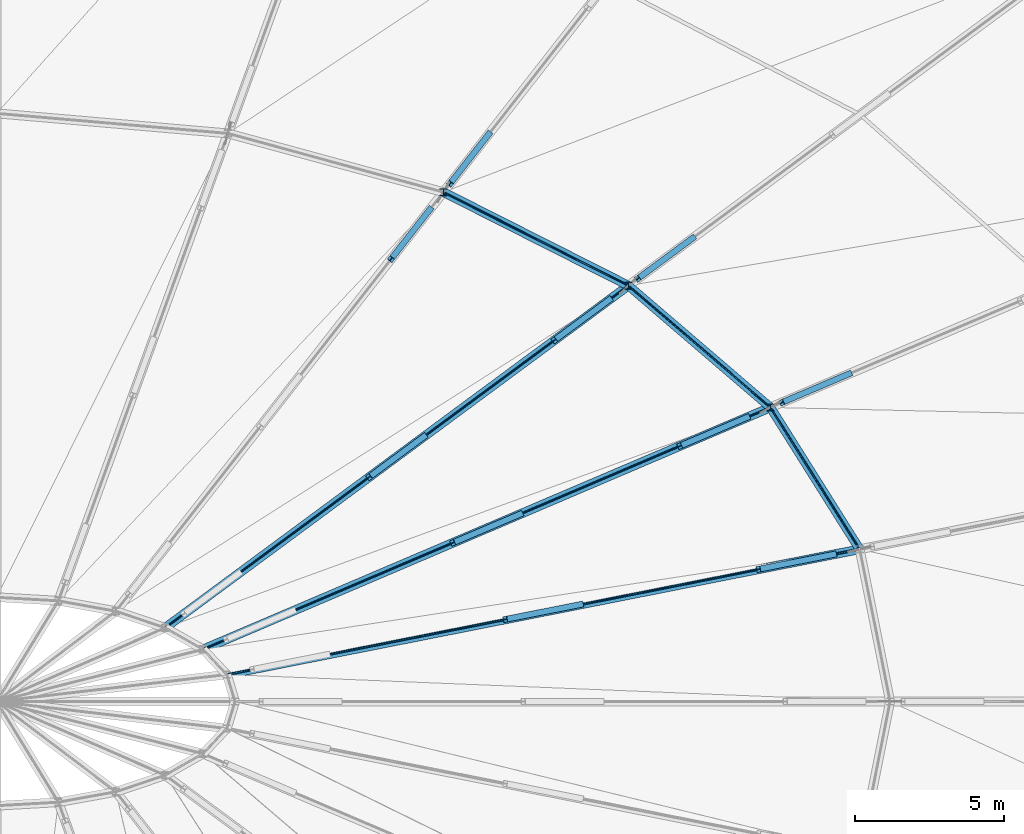
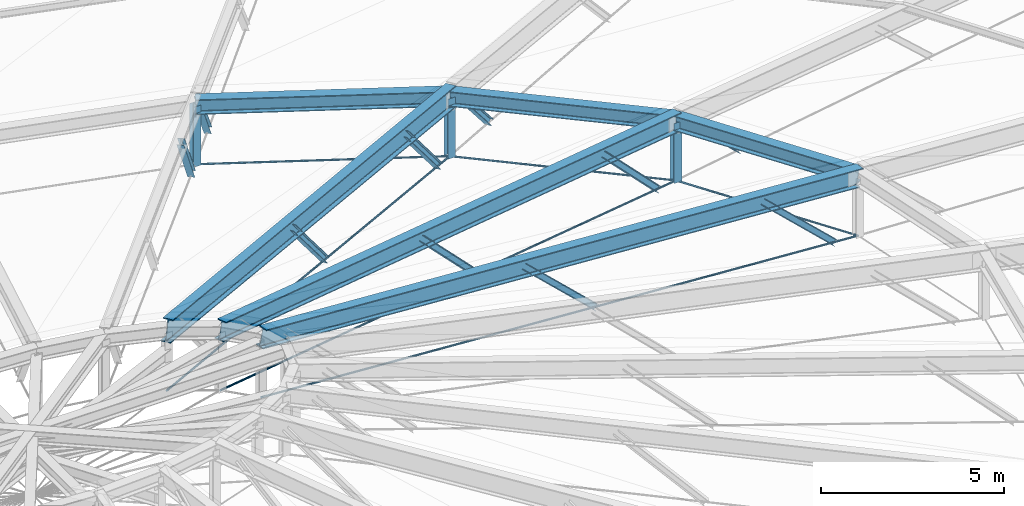
# One storey, part 25 of 83: 19 members, 6 beams.
"""IFC4 building model written with IfcOpenShell, lengths in metres."""

import ifcopenshell
import ifcopenshell.guid

model = None  # the IFC model being written
_history = None  # IfcOwnerHistory: only IFC2X3 demands one
_inside = {}  # id of a spatial element -> (the spatial element, [elements in it])
_under = {}  # id of a project, library or spatial element -> (it, [spatial elements below it])
_declared = {}  # id of a project -> (the project, [libraries it declares])
_typed = {}  # id of a type object -> (the type object, [elements of that type])
_made_of = {}  # id of a material, layer set ... -> (it, [elements and type objects made of it])


def new_model(schema):
    """Start an empty IFC model of exactly this schema.

    Asked for "IFC4X3", IfcOpenShell would pick the latest addendum, in which some entities
    have other attributes; the version numbers below select the first issue.
    IFC2X3 requires an IfcOwnerHistory on every rooted entity: one is made here for all.
    """
    global model, _history
    if schema == "IFC4X3":
        model = ifcopenshell.file(schema_version=(4, 3, 0, 0))
    else:
        model = ifcopenshell.file(schema=schema)
    _inside.clear()
    _under.clear()
    _declared.clear()
    _typed.clear()
    _made_of.clear()
    _history = None
    if model.schema == "IFC2X3":
        org = make("IfcOrganization", Name="unknown")
        user = make(
            "IfcPersonAndOrganization",
            ThePerson=make("IfcPerson", FamilyName="unknown"),
            TheOrganization=org,
        )
        app = make(
            "IfcApplication",
            ApplicationDeveloper=org,
            Version="unknown",
            ApplicationFullName="unknown",
            ApplicationIdentifier="unknown",
        )
        _history = make(
            "IfcOwnerHistory",
            OwningUser=user,
            OwningApplication=app,
            ChangeAction="ADDED",
            CreationDate=0,
        )
    return model


def make(cls, **values):
    """One entity of the class cls with the attributes given. An attribute that is None is left unset."""
    return model.create_entity(
        cls, **{name: value for name, value in values.items() if value is not None}
    )


def rooted(cls, **values):
    """An entity with a GlobalId (a new one), such as an element, a storey or a relation."""
    return make(cls, GlobalId=ifcopenshell.guid.new(), OwnerHistory=_history, **values)


def si_unit(unit_type, name, prefix=None):
    """IfcSIUnit, for example si_unit("LENGTHUNIT", "METRE", prefix="MILLI")."""
    return make("IfcSIUnit", UnitType=unit_type, Prefix=prefix, Name=name)


def assignment(units):
    """IfcUnitAssignment: the units of a project."""
    return None if units is None else make("IfcUnitAssignment", Units=units)


def point(xyz):
    """IfcCartesianPoint."""
    return None if xyz is None else make("IfcCartesianPoint", Coordinates=xyz)


def direction(xyz):
    """IfcDirection."""
    return None if xyz is None else make("IfcDirection", DirectionRatios=xyz)


def frame(location, z_axis=None, x_axis=None):
    """IfcAxis2Placement3D, a coordinate frame: its origin and axes. An axis left out is left unset."""
    return make(
        "IfcAxis2Placement3D",
        Location=point(location),
        Axis=direction(z_axis),
        RefDirection=direction(x_axis),
    )


def frame_2d(location, x_axis=None):
    """IfcAxis2Placement2D, a coordinate frame in the plane: its origin and x axis."""
    return make(
        "IfcAxis2Placement2D", Location=point(location), RefDirection=direction(x_axis)
    )


def origin():
    """The frame at (0, 0, 0) with its axes left unset."""
    return frame((0.0, 0.0, 0.0))


def origin_2d():
    """The frame at (0, 0) in the plane with its x axis left unset."""
    return frame_2d((0.0, 0.0))


def place(relative_to, where):
    """IfcLocalPlacement: puts the frame where relative to a parent placement (None: the world)."""
    return make(
        "IfcLocalPlacement", PlacementRelTo=relative_to, RelativePlacement=where
    )


def context(
    kind, dimensions, precision=None, world=None, true_north=None, identifier=None
):
    """IfcGeometricRepresentationContext, for example the 3D "Model" context."""
    return make(
        "IfcGeometricRepresentationContext",
        ContextIdentifier=identifier,
        ContextType=kind,
        CoordinateSpaceDimension=dimensions,
        Precision=precision,
        WorldCoordinateSystem=world,
        TrueNorth=true_north,
    )


def subcontext(parent, identifier, kind, view, scale=None):
    """IfcGeometricRepresentationSubContext, for example "Body" below "Model"."""
    return make(
        "IfcGeometricRepresentationSubContext",
        ContextIdentifier=identifier,
        ContextType=kind,
        ParentContext=parent,
        TargetScale=scale,
        TargetView=view,
    )


def project(units=None, contexts=None):
    """IfcProject with its units and contexts."""
    return rooted(
        "IfcProject",
        Name="project",
        RepresentationContexts=contexts,
        UnitsInContext=assignment(units),
    )


def spatial(cls, under=None, at=None, **own):
    """A site, building, storey or space (cls), placed at a placement, below another one or the project."""
    s = rooted(cls, ObjectPlacement=at, **own)
    if under is not None:
        _under.setdefault(under.id(), (under, []))[1].append(s)
    return s


def profile(cls, at=None, kind="AREA", **sizes):
    """A parametric profile (cls). Its sizes go by their IFC names, for example OverallWidth=200.0."""
    return make(cls, ProfileType=kind, Position=at, **sizes)


def circle(**sizes):
    """IfcCircleProfileDef."""
    return profile("IfcCircleProfileDef", **sizes)


def i_section(**sizes):
    """IfcIShapeProfileDef."""
    return profile("IfcIShapeProfileDef", **sizes)


def extrude(swept, where, along, depth):
    """IfcExtrudedAreaSolid: the profile swept, set in the frame where, extruded along a direction by depth."""
    return make(
        "IfcExtrudedAreaSolid",
        SweptArea=swept,
        Position=where,
        ExtrudedDirection=direction(along),
        Depth=depth,
    )


def shape(context_of_items, identifier, shape_type, items):
    """IfcShapeRepresentation: the items that make up one representation, for example the "Body"."""
    return make(
        "IfcShapeRepresentation",
        ContextOfItems=context_of_items,
        RepresentationIdentifier=identifier,
        RepresentationType=shape_type,
        Items=items,
    )


def material(Name=None, Category=None):
    """IfcMaterial."""
    return make("IfcMaterial", Name=Name, Category=Category)


def material_profile(
    of_material, cross_section, Name=None, Category=None, Priority=None
):
    """IfcMaterialProfile: a cross section and its material."""
    return make(
        "IfcMaterialProfile",
        Name=Name,
        Material=of_material,
        Profile=cross_section,
        Priority=Priority,
        Category=Category,
    )


def profile_set(profiles, Name=None, composite=None):
    """IfcMaterialProfileSet."""
    return make(
        "IfcMaterialProfileSet",
        Name=Name,
        MaterialProfiles=profiles,
        CompositeProfile=composite,
    )


def made_of(thing, what):
    """Note that an element or type object is made of a material, layer set ...; save() writes the relation."""
    if what is not None:
        _made_of.setdefault(what.id(), (what, []))[1].append(thing)
    return thing


def type_object(cls, material=None, **own):
    """A type object (cls), such as IfcWallType, which elements share."""
    return made_of(rooted(cls, **own), material)


def element(
    cls,
    number,
    at=None,
    inside=None,
    cuts=None,
    type_object=None,
    material=None,
    context=None,
    identifier="Body",
    shape_type=None,
    held_by="IfcProductDefinitionShape",
    body=None,
    shapes=None,
    **own,
):
    """One element of the class cls, such as IfcWall. Its Tag is "e" and its number.

    at: its placement. inside: the storey or other place that contains it. cuts: it is an
    opening in that element (IfcRelVoidsElement). A single representation is given by context,
    identifier, shape_type and body (its items); several are given by shapes. held_by: the class
    of the entity that holds the representations. save() writes the other relations.
    """
    e = rooted(cls, Tag="e%d" % number, ObjectPlacement=at, **own)
    if body is not None:
        shapes = [shape(context, identifier, shape_type, body)]
    if shapes is not None:
        e.Representation = make(held_by, Representations=shapes)
    if inside is not None:
        _inside.setdefault(inside.id(), (inside, []))[1].append(e)
    if cuts is not None:
        rooted(
            "IfcRelVoidsElement", RelatingBuildingElement=cuts, RelatedOpeningElement=e
        )
    if type_object is not None:
        _typed.setdefault(type_object.id(), (type_object, []))[1].append(e)
    return made_of(e, material)


def aggregate(whole, parts):
    """IfcRelAggregates: a whole, such as a stair, and the parts it consists of."""
    return rooted("IfcRelAggregates", RelatingObject=whole, RelatedObjects=parts)


def save(model, path):
    """Write the relations noted so far, then the file.

    IfcRelAggregates (storeys below a building ...), IfcRelContainedInSpatialStructure (elements
    in a storey), IfcRelDefinesByType, IfcRelAssociatesMaterial and IfcRelDeclares: one each for
    every whole, place, type object, material and project.
    """
    for whole, parts in _under.values():
        aggregate(whole, parts)
    for where, things in _inside.values():
        rooted(
            "IfcRelContainedInSpatialStructure",
            RelatedElements=things,
            RelatingStructure=where,
        )
    for kind, things in _typed.values():
        rooted("IfcRelDefinesByType", RelatedObjects=things, RelatingType=kind)
    for what, things in _made_of.values():
        rooted("IfcRelAssociatesMaterial", RelatedObjects=things, RelatingMaterial=what)
    for by, libraries in _declared.values():
        rooted("IfcRelDeclares", RelatingContext=by, RelatedDefinitions=libraries)
    model.write(path)


model = new_model("IFC4")

# Units and contexts
model_context = context("Model", 3, precision=1e-05, world=origin(), true_north=direction((0.0, 1.0)))
body_context = subcontext(model_context, "Body", "Model", "MODEL_VIEW")
ifc_project = project(units=[si_unit("LENGTHUNIT", "METRE"), si_unit("AREAUNIT", "SQUARE_METRE"), si_unit("VOLUMEUNIT", "CUBIC_METRE"), si_unit("PLANEANGLEUNIT", "RADIAN"), si_unit("MASSUNIT", "GRAM", prefix="KILO")], contexts=[model_context])

# Site, building, storey
site_placement = place(None, origin())
site = spatial("IfcSite", under=ifc_project, at=site_placement, CompositionType="ELEMENT")
building_placement = place(site_placement, origin())
building = spatial("IfcBuilding", under=site, at=building_placement, Name="Kivolera Central Railway Station", CompositionType="ELEMENT")
storey_placement = place(building_placement, frame((0.0, 0.0, 14.39990234375)))
storey = spatial("IfcBuildingStorey", under=building, at=storey_placement, Name="L03", CompositionType="ELEMENT", Elevation=14.39990234375)

# Beams
ifc_material_1 = material(Name="Steel S355", Category="steel")
ifc_material_profile_1 = material_profile(ifc_material_1, i_section(OverallWidth=0.300048828125, OverallDepth=0.60009765625, WebThickness=0.015380859375, FlangeThickness=0.030029296875, FilletRadius=0.027099609375, at=origin_2d()), Name="HEB 600")
ifc_profile_set_1 = profile_set([ifc_material_profile_1], Name="Steel S355")
beam_type_1 = type_object("IfcBeamType", Name="BM-DRB-HEB600", PredefinedType="BEAM", material=ifc_profile_set_1)
beam_1_placement = place(storey_placement, frame((92.97802734375, 95.112060546875, 5.780029296875), z_axis=(-0.959575067496, -0.189921870121, 0.207714643419), x_axis=(0.194156528124, -0.980970561529, 0.0)))
element("IfcBeam", 1, at=beam_1_placement, inside=storey, type_object=beam_type_1, Name="Oval Dome Radial Arch Rib Mid Segment DRB2-02", PredefinedType="BEAM", context=body_context, shape_type="SweptSolid", body=[
    extrude(i_section(OverallWidth=0.300048828125, OverallDepth=0.60009765625, WebThickness=0.015380859375, FlangeThickness=0.030029296875, FilletRadius=0.027099609375, at=origin_2d()), origin(), (0.0, 0.0, 1.0), 22.146240234375),
])
beam_2_placement = place(storey_placement, frame((89.98095703125, 99.875, 5.780029296875), z_axis=(-0.897973960833, -0.382934270659, 0.216804312733), x_axis=(0.392264242774, -0.919852577232, 0.0)))
element("IfcBeam", 2, at=beam_2_placement, inside=storey, type_object=beam_type_1, Name="Oval Dome Radial Arch Rib Mid Segment DRB2-03", PredefinedType="BEAM", context=body_context, shape_type="SweptSolid", body=[
    extrude(i_section(OverallWidth=0.300048828125, OverallDepth=0.60009765625, WebThickness=0.015380859375, FlangeThickness=0.030029296875, FilletRadius=0.027099609375, at=origin_2d()), origin(), (0.0, 0.0, 1.0), 21.2177734375),
])
ifc_material_profile_2 = material_profile(ifc_material_1, i_section(OverallWidth=0.300048828125, OverallDepth=0.699951171875, WebThickness=0.01708984375, FlangeThickness=0.031982421875, FilletRadius=0.027099609375, at=origin_2d()), Name="HEB 700")
ifc_profile_set_2 = profile_set([ifc_material_profile_2], Name="Steel S355")
beam_type_2 = type_object("IfcBeamType", Name="BM-DRB-HEB700", PredefinedType="BEAM", material=ifc_profile_set_2)
beam_3_placement = place(storey_placement, frame((85.212890625, 103.965087890625, 5.780029296875), z_axis=(-0.782537226919, -0.578001938423, 0.231407103749), x_axis=(0.594128361521, -0.804370244375, 0.0)))
element("IfcBeam", 3, at=beam_3_placement, inside=storey, type_object=beam_type_2, Name="Oval Dome Radial Arch Rib Mid Segment DRB2-04", PredefinedType="BEAM", context=body_context, shape_type="SweptSolid", body=[
    extrude(i_section(OverallWidth=0.300048828125, OverallDepth=0.699951171875, WebThickness=0.01708984375, FlangeThickness=0.031982421875, FilletRadius=0.027099609375, at=origin_2d()), origin(), (0.0, 0.0, 1.0), 19.87890625),
])
ifc_material_profile_3 = material_profile(ifc_material_1, i_section(OverallWidth=0.300048828125, OverallDepth=0.5, WebThickness=0.014404296875, FlangeThickness=0.028076171875, FilletRadius=0.027099609375, at=origin_2d()), Name="HEB 500")
ifc_profile_set_3 = profile_set([ifc_material_profile_3], Name="Steel S355")
beam_type_3 = type_object("IfcBeamType", Name="BM-HRG-HEB500", PredefinedType="BEAM", material=ifc_profile_set_3)
beam_4_placement = place(storey_placement, frame((92.97802734375, 95.112060546875, 5.780029296875), z_axis=(-0.532581967899, 0.846378430413, 0.0), x_axis=(-0.846378430413, -0.532581967899, 0.0)))
element("IfcBeam", 4, at=beam_4_placement, inside=storey, type_object=beam_type_3, Name="Oval Dome Outer Hoop Ring Beam HRG1-02", PredefinedType="BEAM", context=body_context, shape_type="SweptSolid", body=[
    extrude(i_section(OverallWidth=0.300048828125, OverallDepth=0.5, WebThickness=0.014404296875, FlangeThickness=0.028076171875, FilletRadius=0.027099609375, at=origin_2d()), origin(), (0.0, 0.0, 1.0), 5.62744140625),
])
beam_5_placement = place(storey_placement, frame((89.98095703125, 99.875, 5.780029296875), z_axis=(-0.759006904764, 0.651082574271, 0.0), x_axis=(-0.651082574271, -0.759006904764, 0.0)))
element("IfcBeam", 5, at=beam_5_placement, inside=storey, type_object=beam_type_3, Name="Oval Dome Outer Hoop Ring Beam HRG1-03", PredefinedType="BEAM", context=body_context, shape_type="SweptSolid", body=[
    extrude(i_section(OverallWidth=0.300048828125, OverallDepth=0.5, WebThickness=0.014404296875, FlangeThickness=0.028076171875, FilletRadius=0.027099609375, at=origin_2d()), origin(), (0.0, 0.0, 1.0), 6.281982421875),
])
beam_6_placement = place(storey_placement, frame((85.212890625, 103.965087890625, 5.780029296875), z_axis=(-0.892553489172, 0.450941536085, 0.0), x_axis=(-0.450941536085, -0.892553489172, 0.0)))
element("IfcBeam", 6, at=beam_6_placement, inside=storey, type_object=beam_type_3, Name="Oval Dome Outer Hoop Ring Beam HRG1-04", PredefinedType="BEAM", context=body_context, shape_type="SweptSolid", body=[
    extrude(i_section(OverallWidth=0.300048828125, OverallDepth=0.5, WebThickness=0.014404296875, FlangeThickness=0.028076171875, FilletRadius=0.027099609375, at=origin_2d()), origin(), (0.0, 0.0, 1.0), 6.960693359375),
])

# Members
ifc_material_2 = material(Name="Spiral strand steel S460", Category="steel")
ifc_material_profile_4 = material_profile(ifc_material_2, circle(Radius=0.02392578125, at=origin_2d()), Name="CABLE D48")
ifc_profile_set_4 = profile_set([ifc_material_profile_4], Name="Spiral strand steel S460")
member_type_1 = type_object("IfcMemberType", Name="MEM-CABLE-D48", PredefinedType="USERDEFINED", material=ifc_profile_set_4)
member_1_placement = place(storey_placement, frame((92.97802734375, 95.112060546875, 3.780029296875), z_axis=(-0.532581967899, 0.846378430413, 0.0), x_axis=(-0.846378430413, -0.532581967899, 0.0)))
element("IfcMember", 7, at=member_1_placement, inside=storey, type_object=member_type_1, Name="Dome Hoop Tension Cable HC1-02", ObjectType="TENSION_CABLE", PredefinedType="USERDEFINED", context=body_context, shape_type="SweptSolid", body=[
    extrude(circle(Radius=0.02392578125, at=origin_2d()), origin(), (0.0, 0.0, 1.0), 5.62744140625),
])
member_2_placement = place(storey_placement, frame((89.98095703125, 99.875, 3.780029296875), z_axis=(-0.759006904764, 0.651082574271, 0.0), x_axis=(-0.651082574271, -0.759006904764, 0.0)))
element("IfcMember", 8, at=member_2_placement, inside=storey, type_object=member_type_1, Name="Dome Hoop Tension Cable HC1-03", ObjectType="TENSION_CABLE", PredefinedType="USERDEFINED", context=body_context, shape_type="SweptSolid", body=[
    extrude(circle(Radius=0.02392578125, at=origin_2d()), origin(), (0.0, 0.0, 1.0), 6.281982421875),
])
member_3_placement = place(storey_placement, frame((85.212890625, 103.965087890625, 3.780029296875), z_axis=(-0.892553489172, 0.450941536085, 0.0), x_axis=(-0.450941536085, -0.892553489172, 0.0)))
element("IfcMember", 9, at=member_3_placement, inside=storey, type_object=member_type_1, Name="Dome Hoop Tension Cable HC1-04", ObjectType="TENSION_CABLE", PredefinedType="USERDEFINED", context=body_context, shape_type="SweptSolid", body=[
    extrude(circle(Radius=0.02392578125, at=origin_2d()), origin(), (0.0, 0.0, 1.0), 6.960693359375),
])
ifc_material_profile_5 = material_profile(ifc_material_2, circle(Radius=0.031982421875, at=origin_2d()), Name="CABLE D64")
ifc_profile_set_5 = profile_set([ifc_material_profile_5], Name="Spiral strand steel S460")
member_type_2 = type_object("IfcMemberType", Name="MEM-CABLE-D64", PredefinedType="USERDEFINED", material=ifc_profile_set_5)
member_4_placement = place(storey_placement, frame((92.97802734375, 95.112060546875, 3.780029296875), z_axis=(-0.959575067496, -0.189921870121, 0.207714643419), x_axis=(0.194156528124, -0.980970561529, 0.0)))
element("IfcMember", 10, at=member_4_placement, inside=storey, type_object=member_type_2, Name="Dome Inner Radial Tension Cable RC2-02", ObjectType="TENSION_CABLE", PredefinedType="USERDEFINED", context=body_context, shape_type="SweptSolid", body=[
    extrude(circle(Radius=0.031982421875, at=origin_2d()), origin(), (0.0, 0.0, 1.0), 22.146240234375),
])
member_5_placement = place(storey_placement, frame((89.98095703125, 99.875, 3.780029296875), z_axis=(-0.897973960833, -0.382934270659, 0.216804312733), x_axis=(0.392264242774, -0.919852577232, 0.0)))
element("IfcMember", 11, at=member_5_placement, inside=storey, type_object=member_type_2, Name="Dome Inner Radial Tension Cable RC2-03", ObjectType="TENSION_CABLE", PredefinedType="USERDEFINED", context=body_context, shape_type="SweptSolid", body=[
    extrude(circle(Radius=0.031982421875, at=origin_2d()), origin(), (0.0, 0.0, 1.0), 21.2177734375),
])
member_6_placement = place(storey_placement, frame((85.212890625, 103.965087890625, 3.780029296875), z_axis=(-0.782537226919, -0.578001938423, 0.231407103749), x_axis=(0.594128361521, -0.804370244375, 0.0)))
element("IfcMember", 12, at=member_6_placement, inside=storey, type_object=member_type_2, Name="Dome Inner Radial Tension Cable RC2-04", ObjectType="TENSION_CABLE", PredefinedType="USERDEFINED", context=body_context, shape_type="SweptSolid", body=[
    extrude(circle(Radius=0.031982421875, at=origin_2d()), origin(), (0.0, 0.0, 1.0), 19.87890625),
])
ifc_material_profile_6 = material_profile(ifc_material_1, i_section(OverallWidth=0.239990234375, OverallDepth=0.22998046875, WebThickness=0.007568359375, FlangeThickness=0.011962890625, FilletRadius=0.02099609375, at=origin_2d()), Name="HEA 240")
ifc_profile_set_6 = profile_set([ifc_material_profile_6], Name="Steel S355")
member_type_3 = type_object("IfcMemberType", Name="MEM-RAF-HEA240", PredefinedType="STRUT", material=ifc_profile_set_6)
for number, where, z_axis, x_axis, name in (
    (13, (89.98095703125, 99.875, 3.780029296875), (0.0, 0.0, 1.0), (1.0, 0.0, 0.0), "Dome Ring Spreader Post DP1-03"),
    (14, (85.212890625, 103.965087890625, 3.780029296875), (0.0, 0.0, 1.0), (1.0, 0.0, 0.0), "Dome Ring Spreader Post DP1-04"),
    (15, (79.0, 107.10400390625, 3.780029296875), (0.0, 0.0, 1.0), (1.0, 0.0, 0.0), "Dome Ring Spreader Post DP1-05"),
):
    element("IfcMember", number, at=place(storey_placement, frame(where, z_axis=z_axis, x_axis=x_axis)), inside=storey, type_object=member_type_3, Name=name, PredefinedType="STRUT", context=body_context, shape_type="SweptSolid", body=[
        extrude(i_section(OverallWidth=0.239990234375, OverallDepth=0.22998046875, WebThickness=0.007568359375, FlangeThickness=0.011962890625, FilletRadius=0.02099609375, at=origin_2d()), origin(), (0.0, 0.0, 1.0), 2.0),
    ])
ifc_material_profile_7 = material_profile(ifc_material_1, i_section(OverallWidth=0.199951171875, OverallDepth=0.199951171875, WebThickness=0.009033203125, FlangeThickness=0.014892578125, FilletRadius=0.01806640625, at=origin_2d()), Name="HEB 200")
ifc_profile_set_7 = profile_set([ifc_material_profile_7], Name="Steel S355")
member_type_4 = type_object("IfcMemberType", Name="MEM-RAF-HEB200", PredefinedType="RAFTER", material=ifc_profile_set_7)
member_7_placement = place(storey_placement, frame((92.1279296875, 94.944091796875, 3.964111328125), z_axis=(-0.70000791602, -0.13866121381, 0.700544063778), x_axis=(0.194309748396, -0.980940223295, 0.0)))
element("IfcMember", 16, at=member_7_placement, inside=storey, type_object=member_type_4, Name="Dome Inner Truss Raking Web DWEB2-02.1", PredefinedType="RAFTER", context=body_context, shape_type="SweptSolid", body=[
    extrude(i_section(OverallWidth=0.199951171875, OverallDepth=0.199951171875, WebThickness=0.009033203125, FlangeThickness=0.014892578125, FilletRadius=0.01806640625, at=origin_2d()), origin(), (0.0, 0.0, 1.0), 3.642822265625),
])
member_8_placement = place(storey_placement, frame((83.6279296875, 93.260986328125, 5.80419921875), z_axis=(-0.700177074748, -0.138306582666, 0.700445110761), x_axis=(0.193786418213, -0.981043742203, 0.0)))
element("IfcMember", 17, at=member_8_placement, inside=storey, type_object=member_type_4, Name="Dome Inner Truss Raking Web DWEB2-02.2", PredefinedType="RAFTER", context=body_context, shape_type="SweptSolid", body=[
    extrude(i_section(OverallWidth=0.199951171875, OverallDepth=0.199951171875, WebThickness=0.009033203125, FlangeThickness=0.014892578125, FilletRadius=0.01806640625, at=origin_2d()), origin(), (0.0, 0.0, 1.0), 3.643310546875),
])
member_9_placement = place(storey_placement, frame((92.64794921875, 101.012939453125, 3.18798828125), z_axis=(-0.648429316167, -0.276809994309, 0.709165459527), x_axis=(0.392614848934, -0.91970298488, 0.0)))
element("IfcMember", 18, at=member_9_placement, inside=storey, type_object=member_type_4, Name="Dome Radial Truss Raking Web DWEB1-03.3", PredefinedType="RAFTER", context=body_context, shape_type="SweptSolid", body=[
    extrude(i_section(OverallWidth=0.199951171875, OverallDepth=0.199951171875, WebThickness=0.009033203125, FlangeThickness=0.014892578125, FilletRadius=0.01806640625, at=origin_2d()), origin(), (0.0, 0.0, 1.0), 3.525390625),
])
member_10_placement = place(storey_placement, frame((89.218994140625, 99.550048828125, 3.964111328125), z_axis=(-0.641718438739, -0.273739554024, 0.716424526342), x_axis=(0.392365547728, -0.9198093699, 0.0)))
element("IfcMember", 19, at=member_10_placement, inside=storey, type_object=member_type_4, Name="Dome Inner Truss Raking Web DWEB2-03.1", PredefinedType="RAFTER", context=body_context, shape_type="SweptSolid", body=[
    extrude(i_section(OverallWidth=0.199951171875, OverallDepth=0.199951171875, WebThickness=0.009033203125, FlangeThickness=0.014892578125, FilletRadius=0.01806640625, at=origin_2d()), origin(), (0.0, 0.0, 1.0), 3.562255859375),
])
member_11_placement = place(storey_placement, frame((81.597900390625, 96.300048828125, 5.80419921875), z_axis=(-0.641879650981, -0.273691398101, 0.716298493829), x_axis=(0.392223776266, -0.91986983282, 0.0)))
element("IfcMember", 20, at=member_11_placement, inside=storey, type_object=member_type_4, Name="Dome Inner Truss Raking Web DWEB2-03.2", PredefinedType="RAFTER", context=body_context, shape_type="SweptSolid", body=[
    extrude(i_section(OverallWidth=0.199951171875, OverallDepth=0.199951171875, WebThickness=0.009033203125, FlangeThickness=0.014892578125, FilletRadius=0.01806640625, at=origin_2d()), origin(), (0.0, 0.0, 1.0), 3.562744140625),
])
member_12_placement = place(storey_placement, frame((87.39111328125, 105.573974609375, 3.18798828125), z_axis=(-0.547334742737, -0.404203272356, 0.732833128351), x_axis=(0.59405978192, -0.804420894498, 0.0)))
element("IfcMember", 21, at=member_12_placement, inside=storey, type_object=member_type_4, Name="Dome Radial Truss Raking Web DWEB1-04.3", PredefinedType="RAFTER", context=body_context, shape_type="SweptSolid", body=[
    extrude(i_section(OverallWidth=0.199951171875, OverallDepth=0.199951171875, WebThickness=0.009033203125, FlangeThickness=0.014892578125, FilletRadius=0.01806640625, at=origin_2d()), origin(), (0.0, 0.0, 1.0), 3.411376953125),
])
member_13_placement = place(storey_placement, frame((84.591064453125, 103.5048828125, 3.964111328125), z_axis=(-0.541270764983, -0.39949420656, 0.739885354566), x_axis=(0.593837701674, -0.804584852002, 0.0)))
element("IfcMember", 22, at=member_13_placement, inside=storey, type_object=member_type_4, Name="Dome Inner Truss Raking Web DWEB2-04.1", PredefinedType="RAFTER", context=body_context, shape_type="SweptSolid", body=[
    extrude(i_section(OverallWidth=0.199951171875, OverallDepth=0.199951171875, WebThickness=0.009033203125, FlangeThickness=0.014892578125, FilletRadius=0.01806640625, at=origin_2d()), origin(), (0.0, 0.0, 1.0), 3.44921875),
])
member_14_placement = place(storey_placement, frame((78.367919921875, 98.908935546875, 5.80419921875), z_axis=(-0.541070539817, -0.39955542676, 0.739998737761), x_axis=(0.594038836545, -0.804436362104, 0.0)))
element("IfcMember", 23, at=member_14_placement, inside=storey, type_object=member_type_4, Name="Dome Inner Truss Raking Web DWEB2-04.2", PredefinedType="RAFTER", context=body_context, shape_type="SweptSolid", body=[
    extrude(i_section(OverallWidth=0.199951171875, OverallDepth=0.199951171875, WebThickness=0.009033203125, FlangeThickness=0.014892578125, FilletRadius=0.01806640625, at=origin_2d()), origin(), (0.0, 0.0, 1.0), 3.44873046875),
])
member_15_placement = place(storey_placement, frame((80.5400390625, 109.073974609375, 3.18798828125), z_axis=(-0.400846397607, -0.512863950184, 0.759139469483), x_axis=(0.787896583564, -0.615807578394, 0.0)))
element("IfcMember", 24, at=member_15_placement, inside=storey, type_object=member_type_4, Name="Dome Radial Truss Raking Web DWEB1-05.3", PredefinedType="RAFTER", context=body_context, shape_type="SweptSolid", body=[
    extrude(i_section(OverallWidth=0.199951171875, OverallDepth=0.199951171875, WebThickness=0.009033203125, FlangeThickness=0.014892578125, FilletRadius=0.01806640625, at=origin_2d()), origin(), (0.0, 0.0, 1.0), 3.293212890625),
])
member_16_placement = place(storey_placement, frame((78.56005859375, 106.541015625, 3.964111328125), z_axis=(-0.396077804274, -0.506762761229, 0.765711353444), x_axis=(0.787896583564, -0.615807578394, 0.0)))
element("IfcMember", 25, at=member_16_placement, inside=storey, type_object=member_type_4, Name="Dome Inner Truss Raking Web DWEB2-05.1", PredefinedType="RAFTER", context=body_context, shape_type="SweptSolid", body=[
    extrude(i_section(OverallWidth=0.199951171875, OverallDepth=0.199951171875, WebThickness=0.009033203125, FlangeThickness=0.014892578125, FilletRadius=0.01806640625, at=origin_2d()), origin(), (0.0, 0.0, 1.0), 3.332763671875),
])

save(model, "model.ifc")
